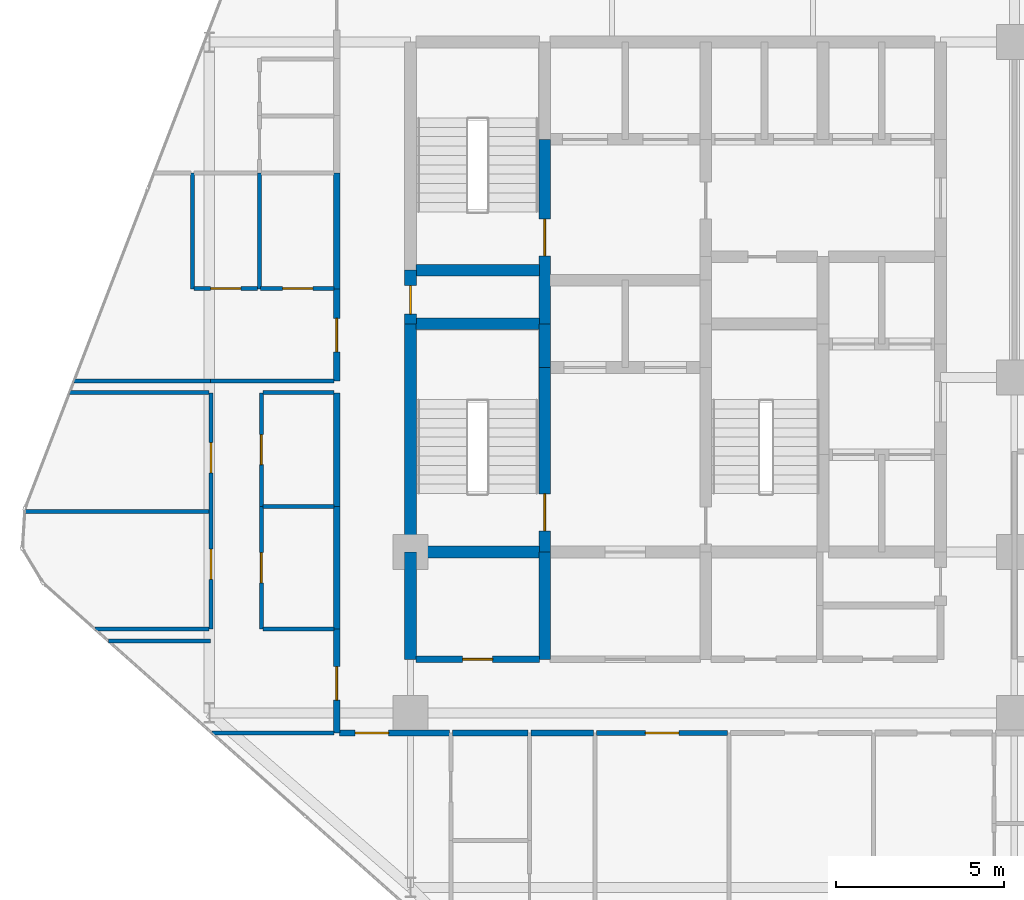
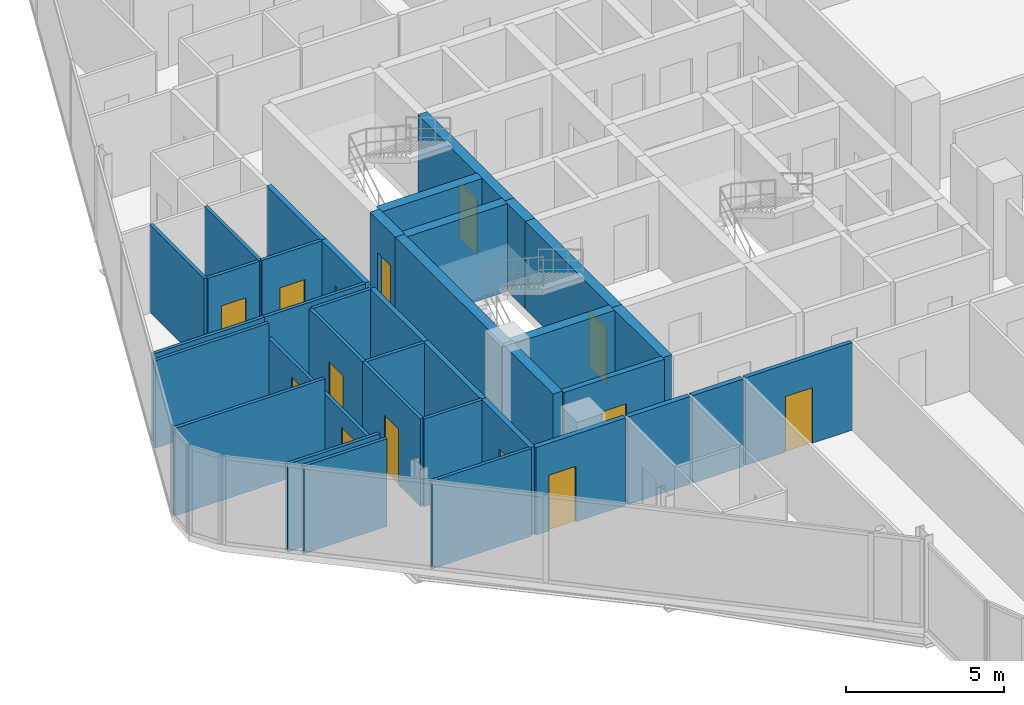
# One storey, part 24 of 30: 37 walls, 14 doors, 14 openings.
"""IFC4 building model written with IfcOpenShell, lengths in metres."""

from ifc_helpers import new_model, si_unit, direction, frame, frame_2d, origin, place, context, subcontext, project, spatial, rectangle, extrude, material, layer, layer_set, type_object, element, fill, save


model = new_model("IFC4")

# Units and contexts
model_context = context("Model", 3, precision=1e-05, world=origin(), true_north=direction((0.0, 1.0)))
body_context = subcontext(model_context, "Body", "Model", "MODEL_VIEW")
ifc_project = project(units=[si_unit("LENGTHUNIT", "METRE"), si_unit("AREAUNIT", "SQUARE_METRE"), si_unit("VOLUMEUNIT", "CUBIC_METRE"), si_unit("PLANEANGLEUNIT", "RADIAN"), si_unit("MASSUNIT", "GRAM", prefix="KILO")], contexts=[model_context])

# Site, building, storey
site_placement = place(None, origin())
site = spatial("IfcSite", under=ifc_project, at=site_placement, CompositionType="ELEMENT")
building_placement = place(site_placement, origin())
building = spatial("IfcBuilding", under=site, at=building_placement, Name="Keshet Zoharim Tower", CompositionType="ELEMENT")
storey_placement = place(building_placement, frame((0.0, 0.0, 113.10009765625)))
storey = spatial("IfcBuildingStorey", under=building, at=storey_placement, Name="L27", CompositionType="ELEMENT", Elevation=113.10009765625)

# Wall, opening, door
ifc_material_1 = material(Name="Gypsum Plasterboard", Category="gypsum")
ifc_layer_1 = layer(ifc_material_1, 0.14990234375)
ifc_layer_set_1 = layer_set([ifc_layer_1], Name="Gypsum Plasterboard")
wall_type_1 = type_object("IfcWallType", Name="WL-CLIN-150", PredefinedType="STANDARD", material=ifc_layer_set_1)
wall_1_placement = place(storey_placement, frame((20.544921875, 17.300048828125, 0.0), z_axis=(0.0, 0.0, 1.0), x_axis=(1.0, 0.0, 0.0)))
wall_1 = element("IfcWall", 1, at=wall_1_placement, inside=storey, type_object=wall_type_1, Name="L27 Interior Wall 132", PredefinedType="STANDARD", context=body_context, shape_type="SweptSolid", body=[
    extrude(rectangle(XDim=3.91015625, YDim=0.14990234375, at=frame_2d((1.955078125, 0.0))), origin(), (0.0, 0.0, 1.0), 3.385009765625),
])
opening_1_placement = place(wall_1_placement, frame((1.455078125, 0.0, 0.0)))
opening_1 = element("IfcOpeningElement", 2, at=opening_1_placement, cuts=wall_1, Name="Opening D-F310", PredefinedType="OPENING", context=body_context, shape_type="SweptSolid", body=[
    extrude(rectangle(XDim=1.0, YDim=2.14990234375, at=frame_2d((0.5, 1.074951171875))), frame((0.0, 0.0849609375, 0.0), z_axis=(0.0, -1.0, 0.0), x_axis=(1.0, 0.0, 0.0)), (0.0, 0.0, 1.0), 0.169921875),
])
ifc_material_2 = material(Name="Hardwood Timber", Category="wood")
door_type_1 = type_object("IfcDoorType", Name="DR-FD30-100", OperationType="NOTDEFINED", PredefinedType="DOOR", material=ifc_material_2)
door_1_placement = place(opening_1_placement, origin())
door_1 = element("IfcDoor", 3, at=door_1_placement, inside=storey, type_object=door_type_1, Name="L27 Residents Telework Office Door", OperationType="SINGLE_SWING_LEFT", OverallHeight=2.14990234375, OverallWidth=1.0, PredefinedType="DOOR", context=body_context, shape_type="SweptSolid", body=[
    extrude(rectangle(XDim=1.0, YDim=2.14990234375, at=frame_2d((0.5, 1.074951171875))), frame((0.0, 0.02490234375, 0.0), z_axis=(0.0, -1.0, 0.0), x_axis=(1.0, 0.0, 0.0)), (0.0, 0.0, 1.0), 0.050048828125),
])
fill(opening_1, door_1)

# Walls
ifc_material_3 = material(Name="Concrete C60/75", Category="concrete")
ifc_layer_2 = layer(ifc_material_3, 0.35009765625)
ifc_layer_set_2 = layer_set([ifc_layer_2], Name="Concrete C60/75")
wall_type_2 = type_object("IfcWallType", Name="WL-CORE-350", PredefinedType="SHEAR", material=ifc_layer_set_2)
wall_2_placement = place(storey_placement, frame((15.0, 19.5, 0.0), z_axis=(0.0, 0.0, 1.0), x_axis=(0.0, 1.0, 0.0)))
element("IfcWall", 4, at=wall_2_placement, inside=storey, type_object=wall_type_2, Name="L27 Core Shear Wall 019", PredefinedType="SHEAR", context=body_context, shape_type="SweptSolid", body=[
    extrude(rectangle(XDim=3.199951171875, YDim=0.35009765625, at=frame_2d((1.60009765625, 0.0))), origin(), (0.0, 0.0, 1.0), 3.385009765625),
])
wall_3_placement = place(storey_placement, frame((15.0, 22.699951171875, 0.0), z_axis=(0.0, 0.0, 1.0), x_axis=(0.0, 1.0, 0.0)))
element("IfcWall", 5, at=wall_3_placement, inside=storey, type_object=wall_type_2, Name="L27 Core Shear Wall 020", PredefinedType="SHEAR", context=body_context, shape_type="SweptSolid", body=[
    extrude(rectangle(XDim=6.800048828125, YDim=0.35009765625, at=frame_2d((3.39990234375, 0.0))), origin(), (0.0, 0.0, 1.0), 3.385009765625),
])

# Wall, opening, door
wall_4_placement = place(storey_placement, frame((15.0, 29.5, 0.0), z_axis=(0.0, 0.0, 1.0), x_axis=(0.0, 1.0, 0.0)))
wall_4 = element("IfcWall", 6, at=wall_4_placement, inside=storey, type_object=wall_type_2, Name="L27 Core Shear Wall 021", PredefinedType="SHEAR", context=body_context, shape_type="SweptSolid", body=[
    extrude(rectangle(XDim=1.60009765625, YDim=0.35009765625, at=frame_2d((0.800048828125, 0.0))), origin(), (0.0, 0.0, 1.0), 3.385009765625),
])
opening_2_placement = place(wall_4_placement, frame((0.287109375, 0.0, 0.0)))
opening_2 = element("IfcOpeningElement", 7, at=opening_2_placement, cuts=wall_4, Name="Opening D-RS85", PredefinedType="OPENING", context=body_context, shape_type="SweptSolid", body=[
    extrude(rectangle(XDim=0.85009765625, YDim=2.10009765625, at=frame_2d((0.425048828125, 1.050048828125))), frame((0.0, 0.18505859375, 0.0), z_axis=(0.0, -1.0, 0.0), x_axis=(1.0, 0.0, 0.0)), (0.0, 0.0, 1.0), 0.3701171875),
])
door_type_2 = type_object("IfcDoorType", Name="DR-RIS-085", OperationType="NOTDEFINED", PredefinedType="DOOR", material=ifc_material_2)
door_2_placement = place(opening_2_placement, origin())
door_2 = element("IfcDoor", 8, at=door_2_placement, inside=storey, type_object=door_type_2, Name="L27 Electrical Riser Access Cupboard Door", OperationType="SINGLE_SWING_RIGHT", OverallHeight=2.10009765625, OverallWidth=0.85009765625, PredefinedType="DOOR", context=body_context, shape_type="SweptSolid", body=[
    extrude(rectangle(XDim=0.85009765625, YDim=2.10009765625, at=frame_2d((0.425048828125, 1.050048828125))), frame((0.0, 0.02490234375, 0.0), z_axis=(0.0, -1.0, 0.0), x_axis=(1.0, 0.0, 0.0)), (0.0, 0.0, 1.0), 0.050048828125),
])
fill(opening_2, door_2)

# Wall
wall_5_placement = place(storey_placement, frame((19.0, 19.5, 0.0), z_axis=(0.0, 0.0, 1.0), x_axis=(0.0, 1.0, 0.0)))
element("IfcWall", 9, at=wall_5_placement, inside=storey, type_object=wall_type_2, Name="L27 Core Shear Wall 029", PredefinedType="SHEAR", context=body_context, shape_type="SweptSolid", body=[
    extrude(rectangle(XDim=3.199951171875, YDim=0.35009765625, at=frame_2d((1.60009765625, 0.0))), origin(), (0.0, 0.0, 1.0), 3.385009765625),
])

# Wall, opening, door
wall_6_placement = place(storey_placement, frame((19.0, 22.699951171875, 0.0), z_axis=(0.0, 0.0, 1.0), x_axis=(0.0, 1.0, 0.0)))
wall_6 = element("IfcWall", 10, at=wall_6_placement, inside=storey, type_object=wall_type_2, Name="L27 Core Shear Wall 030", PredefinedType="SHEAR", context=body_context, shape_type="SweptSolid", body=[
    extrude(rectangle(XDim=5.5, YDim=0.35009765625, at=frame_2d((2.75, 0.0))), origin(), (0.0, 0.0, 1.0), 3.385009765625),
])
opening_3_placement = place(wall_6_placement, frame((0.631103515625, 0.0, 0.0)))
opening_3 = element("IfcOpeningElement", 11, at=opening_3_placement, cuts=wall_6, Name="Opening D-F611", PredefinedType="OPENING", context=body_context, shape_type="SweptSolid", body=[
    extrude(rectangle(XDim=1.10009765625, YDim=2.14990234375, at=frame_2d((0.550048828125, 1.074951171875))), frame((0.0, 0.18505859375, 0.0), z_axis=(0.0, -1.0, 0.0), x_axis=(1.0, 0.0, 0.0)), (0.0, 0.0, 1.0), 0.3701171875),
])
door_type_3 = type_object("IfcDoorType", Name="DR-FD60-110", OperationType="NOTDEFINED", PredefinedType="DOOR", material=ifc_material_2)
door_3_placement = place(opening_3_placement, origin())
door_3 = element("IfcDoor", 12, at=door_3_placement, inside=storey, type_object=door_type_3, Name="L27 Exit Stair ST-01 Fire Door", OperationType="SINGLE_SWING_LEFT", OverallHeight=2.14990234375, OverallWidth=1.10009765625, PredefinedType="DOOR", context=body_context, shape_type="SweptSolid", body=[
    extrude(rectangle(XDim=1.10009765625, YDim=2.14990234375, at=frame_2d((0.550048828125, 1.074951171875))), frame((0.0, 0.02490234375, 0.0), z_axis=(0.0, -1.0, 0.0), x_axis=(1.0, 0.0, 0.0)), (0.0, 0.0, 1.0), 0.050048828125),
])
fill(opening_3, door_3)

# Wall
wall_7_placement = place(storey_placement, frame((19.0, 28.199951171875, 0.0), z_axis=(0.0, 0.0, 1.0), x_axis=(0.0, 1.0, 0.0)))
element("IfcWall", 13, at=wall_7_placement, inside=storey, type_object=wall_type_2, Name="L27 Core Shear Wall 031", PredefinedType="SHEAR", context=body_context, shape_type="SweptSolid", body=[
    extrude(rectangle(XDim=1.300048828125, YDim=0.35009765625, at=frame_2d((0.64990234375, 0.0))), origin(), (0.0, 0.0, 1.0), 3.385009765625),
])

# Wall, opening, door
wall_8_placement = place(storey_placement, frame((19.0, 29.5, 0.0), z_axis=(0.0, 0.0, 1.0), x_axis=(0.0, 1.0, 0.0)))
wall_8 = element("IfcWall", 14, at=wall_8_placement, inside=storey, type_object=wall_type_2, Name="L27 Core Shear Wall 032", PredefinedType="SHEAR", context=body_context, shape_type="SweptSolid", body=[
    extrude(rectangle(XDim=5.5, YDim=0.35009765625, at=frame_2d((2.75, 0.0))), origin(), (0.0, 0.0, 1.0), 3.385009765625),
])
opening_4_placement = place(wall_8_placement, frame((2.02490234375, 0.0, 0.0)))
opening_4 = element("IfcOpeningElement", 15, at=opening_4_placement, cuts=wall_8, Name="Opening D-F611", PredefinedType="OPENING", context=body_context, shape_type="SweptSolid", body=[
    extrude(rectangle(XDim=1.10009765625, YDim=2.14990234375, at=frame_2d((0.550048828125, 1.074951171875))), frame((0.0, 0.18505859375, 0.0), z_axis=(0.0, -1.0, 0.0), x_axis=(1.0, 0.0, 0.0)), (0.0, 0.0, 1.0), 0.3701171875),
])
door_4_placement = place(opening_4_placement, origin())
door_4 = element("IfcDoor", 16, at=door_4_placement, inside=storey, type_object=door_type_3, Name="L27 Exit Stair ST-02 Fire Door", OperationType="SINGLE_SWING_RIGHT", OverallHeight=2.14990234375, OverallWidth=1.10009765625, PredefinedType="DOOR", context=body_context, shape_type="SweptSolid", body=[
    extrude(rectangle(XDim=1.10009765625, YDim=2.14990234375, at=frame_2d((0.550048828125, 1.074951171875))), frame((0.0, 0.02490234375, 0.0), z_axis=(0.0, -1.0, 0.0), x_axis=(1.0, 0.0, 0.0)), (0.0, 0.0, 1.0), 0.050048828125),
])
fill(opening_4, door_4)

# Walls
for number, where, z_axis, x_axis, name in (
    (17, (15.159912109375, 22.699951171875, 0.0), (0.0, 0.0, 1.0), (1.0, 0.0, 0.0), "L27 Core Shear Wall 152"),
    (18, (15.159912109375, 29.5, 0.0), (0.0, 0.0, 1.0), (1.0, 0.0, 0.0), "L27 Core Shear Wall 167"),
    (19, (15.159912109375, 31.10009765625, 0.0), (0.0, 0.0, 1.0), (1.0, 0.0, 0.0), "L27 Core Shear Wall 172"),
):
    element("IfcWall", number, at=place(storey_placement, frame(where, z_axis=z_axis, x_axis=x_axis)), inside=storey, type_object=wall_type_2, Name=name, PredefinedType="SHEAR", context=body_context, shape_type="SweptSolid", body=[
        extrude(rectangle(XDim=3.68017578125, YDim=0.35009765625, at=frame_2d((1.840087890625, 0.0))), origin(), (0.0, 0.0, 1.0), 3.385009765625),
    ])

# Wall, opening, door
ifc_layer_3 = layer(ifc_material_1, 0.179931640625)
ifc_layer_set_3 = layer_set([ifc_layer_3], Name="Gypsum Plasterboard")
wall_type_3 = type_object("IfcWallType", Name="WL-CORR-180", PredefinedType="STANDARD", material=ifc_layer_set_3)
wall_9_placement = place(storey_placement, frame((12.800048828125, 17.300048828125, 0.0), z_axis=(0.0, 0.0, 1.0), x_axis=(0.0, 1.0, 0.0)))
wall_9 = element("IfcWall", 20, at=wall_9_placement, inside=storey, type_object=wall_type_3, Name="L27 Interior Wall 008", PredefinedType="STANDARD", context=body_context, shape_type="SweptSolid", body=[
    extrude(rectangle(XDim=3.099853515625, YDim=0.179931640625, at=frame_2d((1.5498046875, 0.0))), origin(), (0.0, 0.0, 1.0), 3.385009765625),
])
opening_5_placement = place(wall_9_placement, frame((0.97802734375, 0.0, 0.0)))
opening_5 = element("IfcOpeningElement", 21, at=opening_5_placement, cuts=wall_9, Name="Opening D-F310", PredefinedType="OPENING", context=body_context, shape_type="SweptSolid", body=[
    extrude(rectangle(XDim=1.0, YDim=2.14990234375, at=frame_2d((0.5, 1.074951171875))), frame((0.0, 0.10009765625, 0.0), z_axis=(0.0, -1.0, 0.0), x_axis=(1.0, 0.0, 0.0)), (0.0, 0.0, 1.0), 0.199951171875),
])
door_5_placement = place(opening_5_placement, origin())
door_5 = element("IfcDoor", 22, at=door_5_placement, inside=storey, type_object=door_type_1, Name="Apartment 2709 Entrance Door", OperationType="SINGLE_SWING_LEFT", OverallHeight=2.14990234375, OverallWidth=1.0, PredefinedType="DOOR", context=body_context, shape_type="SweptSolid", body=[
    extrude(rectangle(XDim=1.0, YDim=2.14990234375, at=frame_2d((0.5, 1.074951171875))), frame((0.0, 0.02490234375, 0.0), z_axis=(0.0, -1.0, 0.0), x_axis=(1.0, 0.0, 0.0)), (0.0, 0.0, 1.0), 0.050048828125),
])
fill(opening_5, door_5)

# Walls
wall_10_placement = place(storey_placement, frame((12.800048828125, 20.39990234375, 0.0), z_axis=(0.0, 0.0, 1.0), x_axis=(0.0, 1.0, 0.0)))
element("IfcWall", 23, at=wall_10_placement, inside=storey, type_object=wall_type_3, Name="L27 Interior Wall 009", PredefinedType="STANDARD", context=body_context, shape_type="SweptSolid", body=[
    extrude(rectangle(XDim=3.6611328125, YDim=0.179931640625, at=frame_2d((1.83056640625, 0.0))), origin(), (0.0, 0.0, 1.0), 3.385009765625),
])
wall_11_placement = place(storey_placement, frame((12.800048828125, 24.06103515625, 0.0), z_axis=(0.0, 0.0, 1.0), x_axis=(0.0, 1.0, 0.0)))
element("IfcWall", 24, at=wall_11_placement, inside=storey, type_object=wall_type_3, Name="L27 Interior Wall 010", PredefinedType="STANDARD", context=body_context, shape_type="SweptSolid", body=[
    extrude(rectangle(XDim=3.37890625, YDim=0.179931640625, at=frame_2d((1.689453125, 0.0))), origin(), (0.0, 0.0, 1.0), 3.385009765625),
])

# Wall, opening, door
wall_12_placement = place(storey_placement, frame((12.800048828125, 27.7900390625, 0.0), z_axis=(0.0, 0.0, 1.0), x_axis=(0.0, 1.0, 0.0)))
wall_12 = element("IfcWall", 25, at=wall_12_placement, inside=storey, type_object=wall_type_3, Name="L27 Interior Wall 011", PredefinedType="STANDARD", context=body_context, shape_type="SweptSolid", body=[
    extrude(rectangle(XDim=2.75, YDim=0.179931640625, at=frame_2d((1.375, 0.0))), origin(), (0.0, 0.0, 1.0), 3.385009765625),
])
opening_6_placement = place(wall_12_placement, frame((0.875, 0.0, 0.0)))
opening_6 = element("IfcOpeningElement", 26, at=opening_6_placement, cuts=wall_12, Name="Opening D-F310", PredefinedType="OPENING", context=body_context, shape_type="SweptSolid", body=[
    extrude(rectangle(XDim=1.0, YDim=2.14990234375, at=frame_2d((0.5, 1.074951171875))), frame((0.0, 0.10009765625, 0.0), z_axis=(0.0, -1.0, 0.0), x_axis=(1.0, 0.0, 0.0)), (0.0, 0.0, 1.0), 0.199951171875),
])
door_6_placement = place(opening_6_placement, origin())
door_6 = element("IfcDoor", 27, at=door_6_placement, inside=storey, type_object=door_type_1, Name="Apartment 2710 Entrance Door", OperationType="SINGLE_SWING_RIGHT", OverallHeight=2.14990234375, OverallWidth=1.0, PredefinedType="DOOR", context=body_context, shape_type="SweptSolid", body=[
    extrude(rectangle(XDim=1.0, YDim=2.14990234375, at=frame_2d((0.5, 1.074951171875))), frame((0.0, 0.02490234375, 0.0), z_axis=(0.0, -1.0, 0.0), x_axis=(1.0, 0.0, 0.0)), (0.0, 0.0, 1.0), 0.050048828125),
])
fill(opening_6, door_6)

# Wall
wall_13_placement = place(storey_placement, frame((12.800048828125, 30.5400390625, 0.0), z_axis=(0.0, 0.0, 1.0), x_axis=(0.0, 1.0, 0.0)))
element("IfcWall", 28, at=wall_13_placement, inside=storey, type_object=wall_type_3, Name="L27 Interior Wall 012", PredefinedType="STANDARD", context=body_context, shape_type="SweptSolid", body=[
    extrude(rectangle(XDim=3.4599609375, YDim=0.179931640625, at=frame_2d((1.72998046875, 0.0))), origin(), (0.0, 0.0, 1.0), 3.385009765625),
])

# Wall, opening, door
wall_14_placement = place(storey_placement, frame((12.875, 17.300048828125, 0.0), z_axis=(0.0, 0.0, 1.0), x_axis=(1.0, 0.0, 0.0)))
wall_14 = element("IfcWall", 29, at=wall_14_placement, inside=storey, type_object=wall_type_3, Name="L27 Interior Wall 129", PredefinedType="STANDARD", context=body_context, shape_type="SweptSolid", body=[
    extrude(rectangle(XDim=3.280029296875, YDim=0.179931640625, at=frame_2d((1.64013671875, 0.0))), origin(), (0.0, 0.0, 1.0), 3.385009765625),
])
opening_7_placement = place(wall_14_placement, frame((0.470947265625, 0.0, 0.0)))
opening_7 = element("IfcOpeningElement", 30, at=opening_7_placement, cuts=wall_14, Name="Opening D-F310", PredefinedType="OPENING", context=body_context, shape_type="SweptSolid", body=[
    extrude(rectangle(XDim=1.0, YDim=2.14990234375, at=frame_2d((0.5, 1.074951171875))), frame((0.0, 0.10009765625, 0.0), z_axis=(0.0, -1.0, 0.0), x_axis=(1.0, 0.0, 0.0)), (0.0, 0.0, 1.0), 0.199951171875),
])
door_7_placement = place(opening_7_placement, origin())
door_7 = element("IfcDoor", 31, at=door_7_placement, inside=storey, type_object=door_type_1, Name="Apartment 2701 Entrance Door", OperationType="SINGLE_SWING_RIGHT", OverallHeight=2.14990234375, OverallWidth=1.0, PredefinedType="DOOR", context=body_context, shape_type="SweptSolid", body=[
    extrude(rectangle(XDim=1.0, YDim=2.14990234375, at=frame_2d((0.5, 1.074951171875))), frame((0.0, 0.02490234375, 0.0), z_axis=(0.0, -1.0, 0.0), x_axis=(1.0, 0.0, 0.0)), (0.0, 0.0, 1.0), 0.050048828125),
])
fill(opening_7, door_7)

# Walls
wall_15_placement = place(storey_placement, frame((16.2451171875, 17.300048828125, 0.0), z_axis=(0.0, 0.0, 1.0), x_axis=(1.0, 0.0, 0.0)))
element("IfcWall", 32, at=wall_15_placement, inside=storey, type_object=wall_type_3, Name="L27 Interior Wall 130", PredefinedType="STANDARD", context=body_context, shape_type="SweptSolid", body=[
    extrude(rectangle(XDim=2.259765625, YDim=0.179931640625, at=frame_2d((1.1298828125, 0.0))), origin(), (0.0, 0.0, 1.0), 3.385009765625),
])
wall_16_placement = place(storey_placement, frame((18.594970703125, 17.300048828125, 0.0), z_axis=(0.0, 0.0, 1.0), x_axis=(1.0, 0.0, 0.0)))
element("IfcWall", 33, at=wall_16_placement, inside=storey, type_object=wall_type_3, Name="L27 Interior Wall 131", PredefinedType="STANDARD", context=body_context, shape_type="SweptSolid", body=[
    extrude(rectangle(XDim=1.860107421875, YDim=0.179931640625, at=frame_2d((0.93017578125, 0.0))), origin(), (0.0, 0.0, 1.0), 3.385009765625),
])

# Wall, opening, door
ifc_material_4 = material(Name="Concrete C50/60", Category="concrete")
ifc_layer_4 = layer(ifc_material_4, 0.199951171875)
ifc_layer_set_4 = layer_set([ifc_layer_4], Name="Concrete C50/60")
wall_type_4 = type_object("IfcWallType", Name="WL-FIRE-200", PredefinedType="STANDARD", material=ifc_layer_set_4)
wall_17_placement = place(storey_placement, frame((15.159912109375, 19.5, 0.0), z_axis=(0.0, 0.0, 1.0), x_axis=(1.0, 0.0, 0.0)))
wall_17 = element("IfcWall", 34, at=wall_17_placement, inside=storey, type_object=wall_type_4, Name="L27 Interior Wall 143", PredefinedType="STANDARD", context=body_context, shape_type="SweptSolid", body=[
    extrude(rectangle(XDim=3.68017578125, YDim=0.199951171875, at=frame_2d((1.840087890625, 0.0))), origin(), (0.0, 0.0, 1.0), 3.385009765625),
])
opening_8_placement = place(wall_17_placement, frame((1.389892578125, 0.0, 0.0)))
opening_8 = element("IfcOpeningElement", 35, at=opening_8_placement, cuts=wall_17, Name="Opening D-F690", PredefinedType="OPENING", context=body_context, shape_type="SweptSolid", body=[
    extrude(rectangle(XDim=0.89990234375, YDim=2.14990234375, at=frame_2d((0.449951171875, 1.074951171875))), frame((0.0, 0.10986328125, 0.0), z_axis=(0.0, -1.0, 0.0), x_axis=(1.0, 0.0, 0.0)), (0.0, 0.0, 1.0), 0.219970703125),
])
door_type_4 = type_object("IfcDoorType", Name="DR-FD60-090", OperationType="NOTDEFINED", PredefinedType="DOOR", material=ifc_material_2)
door_8_placement = place(opening_8_placement, origin())
door_8 = element("IfcDoor", 36, at=door_8_placement, inside=storey, type_object=door_type_4, Name="L27 Refuse Store Door", OperationType="SINGLE_SWING_RIGHT", OverallHeight=2.14990234375, OverallWidth=0.89990234375, PredefinedType="DOOR", context=body_context, shape_type="SweptSolid", body=[
    extrude(rectangle(XDim=0.89990234375, YDim=2.14990234375, at=frame_2d((0.449951171875, 1.074951171875))), frame((0.0, 0.02490234375, 0.0), z_axis=(0.0, -1.0, 0.0), x_axis=(1.0, 0.0, 0.0)), (0.0, 0.0, 1.0), 0.050048828125),
])
fill(opening_8, door_8)

# Wall
ifc_layer_5 = layer(ifc_material_1, 0.1201171875)
ifc_layer_set_5 = layer_set([ifc_layer_5], Name="Gypsum Plasterboard")
wall_type_5 = type_object("IfcWallType", Name="WL-PART-120", PredefinedType="PARTITIONING", material=ifc_layer_set_5)
wall_18_placement = place(storey_placement, frame((8.5, 30.5400390625, 0.0), z_axis=(0.0, 0.0, 1.0), x_axis=(0.0, 1.0, 0.0)))
element("IfcWall", 37, at=wall_18_placement, inside=storey, type_object=wall_type_5, Name="L27 Interior Wall 001", PredefinedType="PARTITIONING", context=body_context, shape_type="SweptSolid", body=[
    extrude(rectangle(XDim=3.4599609375, YDim=0.1201171875, at=frame_2d((1.72998046875, 0.0))), origin(), (0.0, 0.0, 1.0), 3.385009765625),
])

# Wall, openings, doors
wall_19_placement = place(storey_placement, frame((9.050048828125, 20.39990234375, 0.0), z_axis=(0.0, 0.0, 1.0), x_axis=(0.0, 1.0, 0.0)))
wall_19 = element("IfcWall", 38, at=wall_19_placement, inside=storey, type_object=wall_type_5, Name="L27 Interior Wall 002", PredefinedType="PARTITIONING", context=body_context, shape_type="SweptSolid", body=[
    extrude(rectangle(XDim=7.0400390625, YDim=0.1201171875, at=frame_2d((3.52001953125, 0.0))), origin(), (0.0, 0.0, 1.0), 2.784912109375),
])
opening_9_placement = place(wall_19_placement, frame((1.485107421875, 0.0, 0.0)))
opening_9 = element("IfcOpeningElement", 39, at=opening_9_placement, cuts=wall_19, Name="Opening D-IN90", PredefinedType="OPENING", context=body_context, shape_type="SweptSolid", body=[
    extrude(rectangle(XDim=0.89990234375, YDim=2.14990234375, at=frame_2d((0.449951171875, 1.074951171875))), frame((0.0, 0.070068359375, 0.0), z_axis=(0.0, -1.0, 0.0), x_axis=(1.0, 0.0, 0.0)), (0.0, 0.0, 1.0), 0.14013671875),
])
opening_10_placement = place(wall_19_placement, frame((4.655029296875, 0.0, 0.0)))
opening_10 = element("IfcOpeningElement", 40, at=opening_10_placement, cuts=wall_19, Name="Opening D-IN90", PredefinedType="OPENING", context=body_context, shape_type="SweptSolid", body=[
    extrude(rectangle(XDim=0.89990234375, YDim=2.14990234375, at=frame_2d((0.449951171875, 1.074951171875))), frame((0.0, 0.070068359375, 0.0), z_axis=(0.0, -1.0, 0.0), x_axis=(1.0, 0.0, 0.0)), (0.0, 0.0, 1.0), 0.14013671875),
])
door_type_5 = type_object("IfcDoorType", Name="DR-INT-090", OperationType="NOTDEFINED", PredefinedType="DOOR", material=ifc_material_2)
door_9_placement = place(opening_9_placement, origin())
door_9 = element("IfcDoor", 41, at=door_9_placement, inside=storey, type_object=door_type_5, Name="Apartment 2709 Bedroom 1 Door", OperationType="SINGLE_SWING_LEFT", OverallHeight=2.14990234375, OverallWidth=0.89990234375, PredefinedType="DOOR", context=body_context, shape_type="SweptSolid", body=[
    extrude(rectangle(XDim=0.89990234375, YDim=2.14990234375, at=frame_2d((0.449951171875, 1.074951171875))), frame((0.0, 0.02490234375, 0.0), z_axis=(0.0, -1.0, 0.0), x_axis=(1.0, 0.0, 0.0)), (0.0, 0.0, 1.0), 0.050048828125),
])
fill(opening_9, door_9)
door_10_placement = place(opening_10_placement, origin())
door_10 = element("IfcDoor", 42, at=door_10_placement, inside=storey, type_object=door_type_5, Name="Apartment 2709 Bedroom 2 Door", OperationType="SINGLE_SWING_RIGHT", OverallHeight=2.14990234375, OverallWidth=0.89990234375, PredefinedType="DOOR", context=body_context, shape_type="SweptSolid", body=[
    extrude(rectangle(XDim=0.89990234375, YDim=2.14990234375, at=frame_2d((0.449951171875, 1.074951171875))), frame((0.0, 0.02490234375, 0.0), z_axis=(0.0, -1.0, 0.0), x_axis=(1.0, 0.0, 0.0)), (0.0, 0.0, 1.0), 0.050048828125),
])
fill(opening_10, door_10)

# Wall, opening, door
wall_20_placement = place(storey_placement, frame((10.550048828125, 20.39990234375, 0.0), z_axis=(0.0, 0.0, 1.0), x_axis=(0.0, 1.0, 0.0)))
wall_20 = element("IfcWall", 43, at=wall_20_placement, inside=storey, type_object=wall_type_5, Name="L27 Interior Wall 006", PredefinedType="PARTITIONING", context=body_context, shape_type="SweptSolid", body=[
    extrude(rectangle(XDim=3.6611328125, YDim=0.1201171875, at=frame_2d((1.83056640625, 0.0))), origin(), (0.0, 0.0, 1.0), 3.385009765625),
])
opening_11_placement = place(wall_20_placement, frame((1.3798828125, 0.0, 0.0)))
opening_11 = element("IfcOpeningElement", 44, at=opening_11_placement, cuts=wall_20, Name="Opening D-IN90", PredefinedType="OPENING", context=body_context, shape_type="SweptSolid", body=[
    extrude(rectangle(XDim=0.89990234375, YDim=2.14990234375, at=frame_2d((0.449951171875, 1.074951171875))), frame((0.0, 0.070068359375, 0.0), z_axis=(0.0, -1.0, 0.0), x_axis=(1.0, 0.0, 0.0)), (0.0, 0.0, 1.0), 0.14013671875),
])
door_11_placement = place(opening_11_placement, origin())
door_11 = element("IfcDoor", 45, at=door_11_placement, inside=storey, type_object=door_type_5, Name="Apartment 2709 Kitchen Door", OperationType="SINGLE_SWING_LEFT", OverallHeight=2.14990234375, OverallWidth=0.89990234375, PredefinedType="DOOR", context=body_context, shape_type="SweptSolid", body=[
    extrude(rectangle(XDim=0.89990234375, YDim=2.14990234375, at=frame_2d((0.449951171875, 1.074951171875))), frame((0.0, 0.02490234375, 0.0), z_axis=(0.0, -1.0, 0.0), x_axis=(1.0, 0.0, 0.0)), (0.0, 0.0, 1.0), 0.050048828125),
])
fill(opening_11, door_11)

# Walls
wall_21_placement = place(storey_placement, frame((9.0849609375, 17.300048828125, 0.0), z_axis=(0.0, 0.0, 1.0), x_axis=(1.0, 0.0, 0.0)))
element("IfcWall", 46, at=wall_21_placement, inside=storey, type_object=wall_type_5, Name="L27 Interior Wall 128", PredefinedType="PARTITIONING", context=body_context, shape_type="SweptSolid", body=[
    extrude(rectangle(XDim=3.64013671875, YDim=0.1201171875, at=frame_2d((1.820068359375, 0.0))), origin(), (0.0, 0.0, 1.0), 3.385009765625),
])
wall_22_placement = place(storey_placement, frame((5.990966796875, 20.050048828125, 0.0), z_axis=(0.0, 0.0, 1.0), x_axis=(1.0, 0.0, 0.0)))
element("IfcWall", 47, at=wall_22_placement, inside=storey, type_object=wall_type_5, Name="L27 Interior Wall 148", PredefinedType="PARTITIONING", context=body_context, shape_type="SweptSolid", body=[
    extrude(rectangle(XDim=3.0390625, YDim=0.1201171875, at=frame_2d((1.51953125, 0.0))), origin(), (0.0, 0.0, 1.0), 3.385009765625),
])
wall_23_placement = place(storey_placement, frame((5.597900390625, 20.39990234375, 0.0), z_axis=(0.0, 0.0, 1.0), x_axis=(1.0, 0.0, 0.0)))
element("IfcWall", 48, at=wall_23_placement, inside=storey, type_object=wall_type_5, Name="L27 Interior Wall 149", PredefinedType="PARTITIONING", context=body_context, shape_type="SweptSolid", body=[
    extrude(rectangle(XDim=3.38720703125, YDim=0.1201171875, at=frame_2d((1.693603515625, 0.0))), origin(), (0.0, 0.0, 1.0), 3.385009765625),
])
wall_24_placement = place(storey_placement, frame((10.594970703125, 20.39990234375, 0.0), z_axis=(0.0, 0.0, 1.0), x_axis=(1.0, 0.0, 0.0)))
element("IfcWall", 49, at=wall_24_placement, inside=storey, type_object=wall_type_5, Name="L27 Interior Wall 150", PredefinedType="PARTITIONING", context=body_context, shape_type="SweptSolid", body=[
    extrude(rectangle(XDim=2.130126953125, YDim=0.1201171875, at=frame_2d((1.06494140625, 0.0))), origin(), (0.0, 0.0, 1.0), 3.385009765625),
])
wall_25_placement = place(storey_placement, frame((3.5009765625, 23.89990234375, 0.0), z_axis=(0.0, 0.0, 1.0), x_axis=(1.0, 0.0, 0.0)))
element("IfcWall", 50, at=wall_25_placement, inside=storey, type_object=wall_type_5, Name="L27 Interior Wall 156", PredefinedType="PARTITIONING", context=body_context, shape_type="SweptSolid", body=[
    extrude(rectangle(XDim=5.484130859375, YDim=0.1201171875, at=frame_2d((2.7421875, 0.0))), origin(), (0.0, 0.0, 1.0), 3.385009765625),
])
wall_26_placement = place(storey_placement, frame((4.8369140625, 27.449951171875, 0.0), z_axis=(0.0, 0.0, 1.0), x_axis=(1.0, 0.0, 0.0)))
element("IfcWall", 51, at=wall_26_placement, inside=storey, type_object=wall_type_5, Name="L27 Interior Wall 160", PredefinedType="PARTITIONING", context=body_context, shape_type="SweptSolid", body=[
    extrude(rectangle(XDim=4.148193359375, YDim=0.1201171875, at=frame_2d((2.07421875, 0.0))), origin(), (0.0, 0.0, 1.0), 3.385009765625),
])
wall_27_placement = place(storey_placement, frame((4.970947265625, 27.800048828125, 0.0), z_axis=(0.0, 0.0, 1.0), x_axis=(1.0, 0.0, 0.0)))
element("IfcWall", 52, at=wall_27_placement, inside=storey, type_object=wall_type_5, Name="L27 Interior Wall 162", PredefinedType="PARTITIONING", context=body_context, shape_type="SweptSolid", body=[
    extrude(rectangle(XDim=4.05908203125, YDim=0.1201171875, at=frame_2d((2.029541015625, 0.0))), origin(), (0.0, 0.0, 1.0), 3.385009765625),
])
wall_28_placement = place(storey_placement, frame((9.030029296875, 27.800048828125, 0.0), z_axis=(0.0, 0.0, 1.0), x_axis=(1.0, 0.0, 0.0)))
element("IfcWall", 53, at=wall_28_placement, inside=storey, type_object=wall_type_5, Name="L27 Interior Wall 163", PredefinedType="PARTITIONING", context=body_context, shape_type="SweptSolid", body=[
    extrude(rectangle(XDim=3.695068359375, YDim=0.1201171875, at=frame_2d((1.84765625, 0.0))), origin(), (0.0, 0.0, 1.0), 3.385009765625),
])

# Wall, opening, door
wall_29_placement = place(storey_placement, frame((8.544921875, 30.550048828125, 0.0), z_axis=(0.0, 0.0, 1.0), x_axis=(1.0, 0.0, 0.0)))
wall_29 = element("IfcWall", 54, at=wall_29_placement, inside=storey, type_object=wall_type_5, Name="L27 Interior Wall 169", PredefinedType="PARTITIONING", context=body_context, shape_type="SweptSolid", body=[
    extrude(rectangle(XDim=1.88818359375, YDim=0.1201171875, at=frame_2d((0.944091796875, 0.0))), origin(), (0.0, 0.0, 1.0), 3.385009765625),
])
opening_12_placement = place(wall_29_placement, frame((0.493896484375, 0.0, 0.0)))
opening_12 = element("IfcOpeningElement", 55, at=opening_12_placement, cuts=wall_29, Name="Opening D-IN90", PredefinedType="OPENING", context=body_context, shape_type="SweptSolid", body=[
    extrude(rectangle(XDim=0.89990234375, YDim=2.14990234375, at=frame_2d((0.449951171875, 1.074951171875))), frame((0.0, 0.070068359375, 0.0), z_axis=(0.0, -1.0, 0.0), x_axis=(1.0, 0.0, 0.0)), (0.0, 0.0, 1.0), 0.14013671875),
])
door_12_placement = place(opening_12_placement, origin())
door_12 = element("IfcDoor", 56, at=door_12_placement, inside=storey, type_object=door_type_5, Name="Apartment 2710 Kitchen Door", OperationType="SINGLE_SWING_RIGHT", OverallHeight=2.14990234375, OverallWidth=0.89990234375, PredefinedType="DOOR", context=body_context, shape_type="SweptSolid", body=[
    extrude(rectangle(XDim=0.89990234375, YDim=2.14990234375, at=frame_2d((0.449951171875, 1.074951171875))), frame((0.0, 0.02490234375, 0.0), z_axis=(0.0, -1.0, 0.0), x_axis=(1.0, 0.0, 0.0)), (0.0, 0.0, 1.0), 0.050048828125),
])
fill(opening_12, door_12)

# Wall
ifc_layer_6 = layer(ifc_material_1, 0.1201171875)
ifc_layer_set_6 = layer_set([ifc_layer_6], Name="Gypsum Plasterboard")
wall_type_6 = type_object("IfcWallType", Name="WL-WET-120", PredefinedType="PARTITIONING", material=ifc_layer_set_6)
wall_30_placement = place(storey_placement, frame((10.5, 30.5400390625, 0.0), z_axis=(0.0, 0.0, 1.0), x_axis=(0.0, 1.0, 0.0)))
element("IfcWall", 57, at=wall_30_placement, inside=storey, type_object=wall_type_6, Name="L27 Interior Wall 003", PredefinedType="PARTITIONING", context=body_context, shape_type="SweptSolid", body=[
    extrude(rectangle(XDim=3.4599609375, YDim=0.1201171875, at=frame_2d((1.72998046875, 0.0))), origin(), (0.0, 0.0, 1.0), 3.385009765625),
])

# Wall, opening, door
wall_31_placement = place(storey_placement, frame((10.550048828125, 24.06103515625, 0.0), z_axis=(0.0, 0.0, 1.0), x_axis=(0.0, 1.0, 0.0)))
wall_31 = element("IfcWall", 58, at=wall_31_placement, inside=storey, type_object=wall_type_6, Name="L27 Interior Wall 007", PredefinedType="PARTITIONING", context=body_context, shape_type="SweptSolid", body=[
    extrude(rectangle(XDim=3.37890625, YDim=0.1201171875, at=frame_2d((1.689453125, 0.0))), origin(), (0.0, 0.0, 1.0), 3.385009765625),
])
opening_13_placement = place(wall_31_placement, frame((1.239013671875, 0.0, 0.0)))
opening_13 = element("IfcOpeningElement", 59, at=opening_13_placement, cuts=wall_31, Name="Opening D-WT90", PredefinedType="OPENING", context=body_context, shape_type="SweptSolid", body=[
    extrude(rectangle(XDim=0.89990234375, YDim=2.10009765625, at=frame_2d((0.449951171875, 1.050048828125))), frame((0.0, 0.070068359375, 0.0), z_axis=(0.0, -1.0, 0.0), x_axis=(1.0, 0.0, 0.0)), (0.0, 0.0, 1.0), 0.14013671875),
])
door_type_6 = type_object("IfcDoorType", Name="DR-WET-090", OperationType="NOTDEFINED", PredefinedType="DOOR", material=ifc_material_2)
door_13_placement = place(opening_13_placement, origin())
door_13 = element("IfcDoor", 60, at=door_13_placement, inside=storey, type_object=door_type_6, Name="Apartment 2709 Bathroom Door", OperationType="SINGLE_SWING_RIGHT", OverallHeight=2.10009765625, OverallWidth=0.89990234375, PredefinedType="DOOR", context=body_context, shape_type="SweptSolid", body=[
    extrude(rectangle(XDim=0.89990234375, YDim=2.10009765625, at=frame_2d((0.449951171875, 1.050048828125))), frame((0.0, 0.02490234375, 0.0), z_axis=(0.0, -1.0, 0.0), x_axis=(1.0, 0.0, 0.0)), (0.0, 0.0, 1.0), 0.050048828125),
])
fill(opening_13, door_13)

# Walls
for number, where, z_axis, x_axis, name in (
    (61, (10.594970703125, 24.050048828125, 0.0), (0.0, 0.0, 1.0), (1.0, 0.0, 0.0), "L27 Interior Wall 157"),
    (62, (10.594970703125, 27.449951171875, 0.0), (0.0, 0.0, 1.0), (1.0, 0.0, 0.0), "L27 Interior Wall 161"),
):
    element("IfcWall", number, at=place(storey_placement, frame(where, z_axis=z_axis, x_axis=x_axis)), inside=storey, type_object=wall_type_6, Name=name, PredefinedType="PARTITIONING", context=body_context, shape_type="SweptSolid", body=[
        extrude(rectangle(XDim=2.130126953125, YDim=0.1201171875, at=frame_2d((1.06494140625, 0.0))), origin(), (0.0, 0.0, 1.0), 3.385009765625),
    ])

# Wall, opening, door
wall_32_placement = place(storey_placement, frame((10.52294921875, 30.550048828125, 0.0), z_axis=(0.0, 0.0, 1.0), x_axis=(1.0, 0.0, 0.0)))
wall_32 = element("IfcWall", 63, at=wall_32_placement, inside=storey, type_object=wall_type_6, Name="L27 Interior Wall 170", PredefinedType="PARTITIONING", context=body_context, shape_type="SweptSolid", body=[
    extrude(rectangle(XDim=2.2021484375, YDim=0.1201171875, at=frame_2d((1.10107421875, 0.0))), origin(), (0.0, 0.0, 1.0), 3.385009765625),
])
opening_14_placement = place(wall_32_placement, frame((0.666015625, 0.0, 0.0)))
opening_14 = element("IfcOpeningElement", 64, at=opening_14_placement, cuts=wall_32, Name="Opening D-WT90", PredefinedType="OPENING", context=body_context, shape_type="SweptSolid", body=[
    extrude(rectangle(XDim=0.89990234375, YDim=2.10009765625, at=frame_2d((0.449951171875, 1.050048828125))), frame((0.0, 0.070068359375, 0.0), z_axis=(0.0, -1.0, 0.0), x_axis=(1.0, 0.0, 0.0)), (0.0, 0.0, 1.0), 0.14013671875),
])
door_14_placement = place(opening_14_placement, origin())
door_14 = element("IfcDoor", 65, at=door_14_placement, inside=storey, type_object=door_type_6, Name="Apartment 2710 Bathroom Door", OperationType="SINGLE_SWING_LEFT", OverallHeight=2.10009765625, OverallWidth=0.89990234375, PredefinedType="DOOR", context=body_context, shape_type="SweptSolid", body=[
    extrude(rectangle(XDim=0.89990234375, YDim=2.10009765625, at=frame_2d((0.449951171875, 1.050048828125))), frame((0.0, 0.02490234375, 0.0), z_axis=(0.0, -1.0, 0.0), x_axis=(1.0, 0.0, 0.0)), (0.0, 0.0, 1.0), 0.050048828125),
])
fill(opening_14, door_14)

save(model, "model.ifc")
